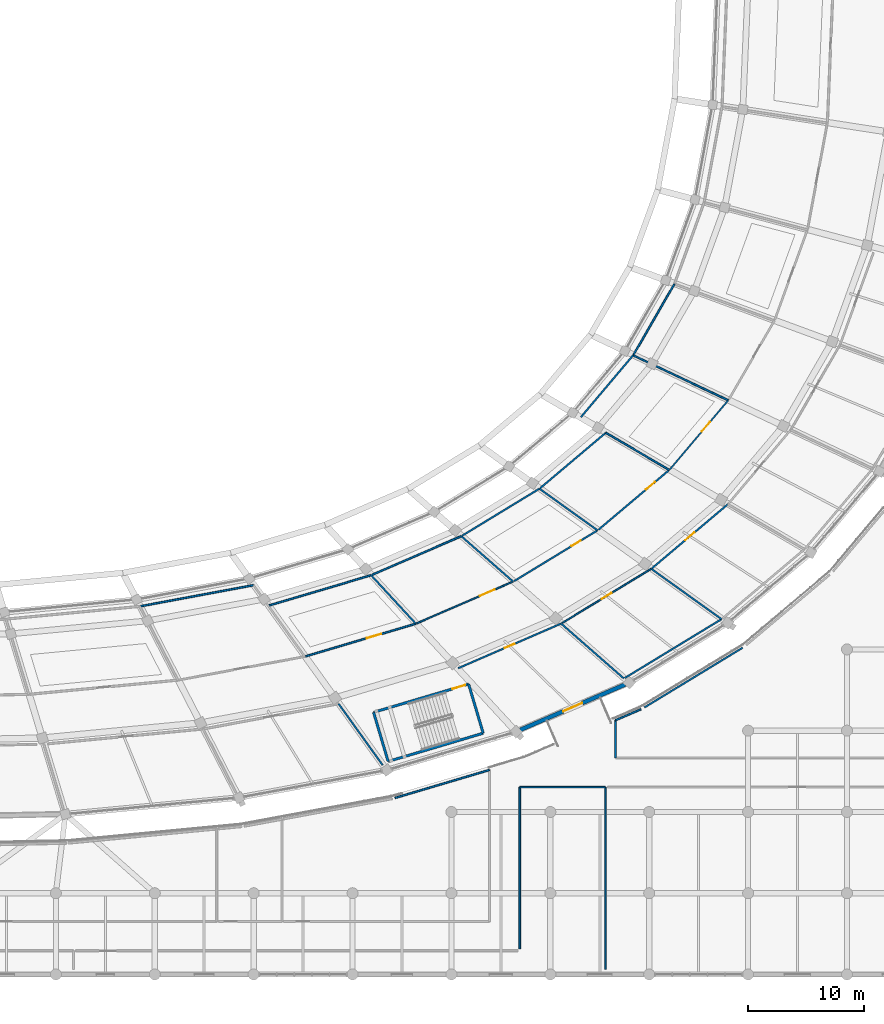
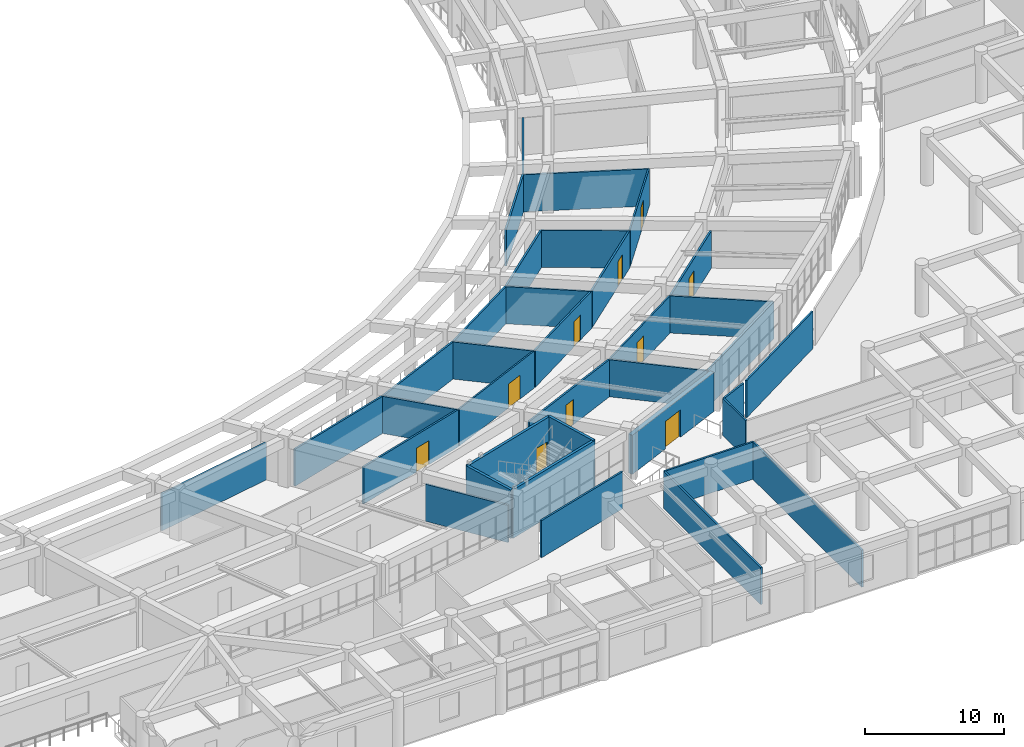
# One storey, part 101 of 145: 36 walls, 10 doors, 10 openings.
"""IFC4 building model written with IfcOpenShell, lengths in metres."""

from ifc_helpers import new_model, si_unit, direction, frame, frame_2d, origin, place, context, subcontext, project, spatial, rectangle, extrude, material, layer, layer_set, type_object, element, fill, save


model = new_model("IFC4")

# Units and contexts
model_context = context("Model", 3, precision=1e-05, world=origin(), true_north=direction((0.0, 1.0)))
body_context = subcontext(model_context, "Body", "Model", "MODEL_VIEW")
ifc_project = project(units=[si_unit("LENGTHUNIT", "METRE"), si_unit("AREAUNIT", "SQUARE_METRE"), si_unit("VOLUMEUNIT", "CUBIC_METRE"), si_unit("PLANEANGLEUNIT", "RADIAN"), si_unit("MASSUNIT", "GRAM", prefix="KILO")], contexts=[model_context])

# Site, building, storey
site_placement = place(None, origin())
site = spatial("IfcSite", under=ifc_project, at=site_placement, CompositionType="ELEMENT")
building_placement = place(site_placement, origin())
building = spatial("IfcBuilding", under=site, at=building_placement, Name="Mphavela Belvedere Stadium", CompositionType="ELEMENT")
storey_placement = place(building_placement, frame((0.0, 0.0, 10.199951171875)))
storey = spatial("IfcBuildingStorey", under=building, at=storey_placement, Name="L02", CompositionType="ELEMENT", Elevation=10.199951171875)

# Walls
ifc_material_1 = material(Name="Concrete C40/50", Category="concrete")
ifc_layer_1 = layer(ifc_material_1, 0.219970703125)
ifc_layer_set_1 = layer_set([ifc_layer_1], Name="Concrete C40/50")
wall_type_1 = type_object("IfcWallType", Name="WAL-CORE-SHEAR-220", PredefinedType="SHEAR", material=ifc_layer_set_1)
wall_1_placement = place(storey_placement, frame((173.10498046875, 20.784912109375, 0.0), z_axis=(0.0, 0.0, 1.0), x_axis=(-0.958675743706, -0.284500998997, 0.0)))
element("IfcWall", 1, at=wall_1_placement, inside=storey, type_object=wall_type_1, Name="Core P04 shear wall L02 rear", PredefinedType="SHEAR", context=body_context, shape_type="SweptSolid", body=[
    extrude(rectangle(XDim=8.540283203125, YDim=0.219970703125, at=frame_2d((4.27001953125, 0.0))), origin(), (0.0, 0.0, 1.0), 4.25),
])
wall_2_placement = place(storey_placement, frame((171.85009765625, 25.0126953125, 0.0), z_axis=(0.0, 0.0, 1.0), x_axis=(0.284548207311, -0.958661732686, 0.0)))
element("IfcWall", 2, at=wall_2_placement, inside=storey, type_object=wall_type_1, Name="Core P04 shear wall L02 left", PredefinedType="SHEAR", context=body_context, shape_type="SweptSolid", body=[
    extrude(rectangle(XDim=4.41015625, YDim=0.219970703125, at=frame_2d((2.205078125, 0.0))), origin(), (0.0, 0.0, 1.0), 4.25),
])
wall_3_placement = place(storey_placement, frame((163.6630859375, 22.5830078125, 0.0), z_axis=(0.0, 0.0, 1.0), x_axis=(0.284497328872, -0.958676832861, 0.0)))
element("IfcWall", 3, at=wall_3_placement, inside=storey, type_object=wall_type_1, Name="Core P04 shear wall L02 right", PredefinedType="SHEAR", context=body_context, shape_type="SweptSolid", body=[
    extrude(rectangle(XDim=4.409912109375, YDim=0.219970703125, at=frame_2d((2.205078125, 0.0))), origin(), (0.0, 0.0, 1.0), 4.25),
])

# Wall, opening, door
wall_4_placement = place(storey_placement, frame((171.85009765625, 25.0126953125, 0.0), z_axis=(0.0, 0.0, 1.0), x_axis=(-0.95867342973, -0.284508796227, 0.0)))
wall_4 = element("IfcWall", 4, at=wall_4_placement, inside=storey, type_object=wall_type_1, Name="Core P04 shear wall L02 front", PredefinedType="SHEAR", context=body_context, shape_type="SweptSolid", body=[
    extrude(rectangle(XDim=8.5400390625, YDim=0.219970703125, at=frame_2d((4.27001953125, 0.0))), origin(), (0.0, 0.0, 1.0), 4.25),
])
opening_1_placement = place(wall_4_placement, frame((0.300048828125, 0.0, 0.0)))
opening_1 = element("IfcOpeningElement", 5, at=opening_1_placement, cuts=wall_4, Name="Opening SD-084", PredefinedType="OPENING", context=body_context, shape_type="SweptSolid", body=[
    extrude(rectangle(XDim=1.14990234375, YDim=2.14990234375, at=frame_2d((0.574951171875, 1.074951171875))), frame((0.0, 0.1201171875, 0.0), z_axis=(0.0, -1.0, 0.0), x_axis=(1.0, 0.0, 0.0)), (0.0, 0.0, 1.0), 0.239990234375),
])
ifc_material_2 = material(Name="Steel acoustic fire-resisting stair doorset", Category="steel")
door_type_1 = type_object("IfcDoorType", Name="DR-STAIR-FIRE-1150", OperationType="NOTDEFINED", PredefinedType="DOOR", material=ifc_material_2)
door_1_placement = place(opening_1_placement, origin())
door_1 = element("IfcDoor", 6, at=door_1_placement, inside=storey, type_object=door_type_1, Name="Escape stair fire door P04 L02", OperationType="SINGLE_SWING_RIGHT", OverallHeight=2.14990234375, OverallWidth=1.14990234375, PredefinedType="DOOR", context=body_context, shape_type="SweptSolid", body=[
    extrude(rectangle(XDim=1.14990234375, YDim=2.14990234375, at=frame_2d((0.574951171875, 1.074951171875))), frame((0.0, 0.02490234375, 0.0), z_axis=(0.0, -1.0, 0.0), x_axis=(1.0, 0.0, 0.0)), (0.0, 0.0, 1.0), 0.050048828125),
])
fill(opening_1, door_1)

ifc_material_3 = material(Name="Honed ashlar limestone masonry", Category="masonry")
ifc_layer_2 = layer(ifc_material_3, 0.35009765625)
ifc_layer_set_2 = layer_set([ifc_layer_2], Name="Honed ashlar limestone masonry")
wall_type_2 = type_object("IfcWallType", Name="WAL-EXT-ASHLAR-350", PredefinedType="STANDARD", material=ifc_layer_set_2)
wall_5_placement = place(storey_placement, frame((185.3310546875, 24.980712890625, 0.0), z_axis=(0.0, 0.0, 1.0), x_axis=(-0.917498288986, -0.397739726088, 0.0)))
wall_5 = element("IfcWall", 7, at=wall_5_placement, inside=storey, type_object=wall_type_2, Name="Classical link portal wall L02-41", PredefinedType="STANDARD", context=body_context, shape_type="SweptSolid", body=[
    extrude(rectangle(XDim=9.840087890625, YDim=0.35009765625, at=frame_2d((4.919921875, 0.0))), origin(), (0.0, 0.0, 1.0), 3.420166015625),
])
opening_2_placement = place(wall_5_placement, frame((4.02001953125, 0.0, 0.0)))
opening_2 = element("IfcOpeningElement", 8, at=opening_2_placement, cuts=wall_5, Name="Opening ID-9240", PredefinedType="OPENING", context=body_context, shape_type="SweptSolid", body=[
    extrude(rectangle(XDim=1.800048828125, YDim=2.39990234375, at=frame_2d((0.89990234375, 1.199951171875))), frame((0.0, 0.18505859375, 0.0), z_axis=(0.0, -1.0, 0.0), x_axis=(1.0, 0.0, 0.0)), (0.0, 0.0, 1.0), 0.3701171875),
])
ifc_material_4 = material(Name="Glazed bronze-anodised steel exit doorset", Category="steel")
door_type_2 = type_object("IfcDoorType", Name="DR-EXT-01", OperationType="NOTDEFINED", PredefinedType="DOOR", material=ifc_material_4)
door_2_placement = place(opening_2_placement, origin())
door_2 = element("IfcDoor", 9, at=door_2_placement, inside=storey, type_object=door_type_2, Name="Wing promenade link doorset L02-41", OperationType="DOUBLE_DOOR_SINGLE_SWING", OverallHeight=2.39990234375, OverallWidth=1.800048828125, PredefinedType="DOOR", context=body_context, shape_type="SweptSolid", body=[
    extrude(rectangle(XDim=1.800048828125, YDim=2.39990234375, at=frame_2d((0.89990234375, 1.199951171875))), frame((0.0, 0.02490234375, 0.0), z_axis=(0.0, -1.0, 0.0), x_axis=(1.0, 0.0, 0.0)), (0.0, 0.0, 1.0), 0.050048828125),
])
fill(opening_2, door_2)

ifc_material_5 = material(Name="Moisture-resistant sanitary partition assembly")
ifc_layer_3 = layer(ifc_material_5, 0.125)
ifc_layer_set_3 = layer_set([ifc_layer_3], Name="Moisture-resistant sanitary partition assembly")
wall_type_3 = type_object("IfcWallType", Name="WAL-PART-125", PredefinedType="PARTITIONING", material=ifc_layer_set_3)
wall_6_placement = place(storey_placement, frame((175.684814453125, 33.84619140625, 0.0), z_axis=(0.0, 0.0, 1.0), x_axis=(-0.917494590455, -0.397748257677, 0.0)))
wall_6 = element("IfcWall", 10, at=wall_6_placement, inside=storey, type_object=wall_type_3, Name="Room L02-139 corridor partition", PredefinedType="PARTITIONING", context=body_context, shape_type="SweptSolid", body=[
    extrude(rectangle(XDim=9.04931640625, YDim=0.125, at=frame_2d((4.524658203125, 0.0))), origin(), (0.0, 0.0, 1.0), 3.25),
])
opening_3_placement = place(wall_6_placement, frame((1.721923828125, 0.0, 0.0)))
opening_3 = element("IfcOpeningElement", 11, at=opening_3_placement, cuts=wall_6, Name="Opening ID-228", PredefinedType="OPENING", context=body_context, shape_type="SweptSolid", body=[
    extrude(rectangle(XDim=1.39990234375, YDim=2.10009765625, at=frame_2d((0.699951171875, 1.050048828125))), frame((0.0, 0.072509765625, 0.0), z_axis=(0.0, -1.0, 0.0), x_axis=(1.0, 0.0, 0.0)), (0.0, 0.0, 1.0), 0.14501953125),
])
ifc_material_6 = material(Name="Hardwood acoustic timber doorset", Category="wood")
door_type_3 = type_object("IfcDoorType", Name="DR-INT-12", OperationType="NOTDEFINED", PredefinedType="DOOR", material=ifc_material_6)
door_3_placement = place(opening_3_placement, origin())
door_3 = element("IfcDoor", 12, at=door_3_placement, inside=storey, type_object=door_type_3, Name="Room L02-139 entrance door ID-228", OperationType="SINGLE_SWING_RIGHT", OverallHeight=2.10009765625, OverallWidth=1.39990234375, PredefinedType="DOOR", context=body_context, shape_type="SweptSolid", body=[
    extrude(rectangle(XDim=1.39990234375, YDim=2.10009765625, at=frame_2d((0.699951171875, 1.050048828125))), frame((0.0, 0.02490234375, 0.0), z_axis=(0.0, -1.0, 0.0), x_axis=(1.0, 0.0, 0.0)), (0.0, 0.0, 1.0), 0.050048828125),
])
fill(opening_3, door_3)

wall_7_placement = place(storey_placement, frame((179.89453125, 30.268798828125, 0.0), z_axis=(0.0, 0.0, 1.0), x_axis=(0.854321649351, 0.519744667554, 0.0)))
wall_7 = element("IfcWall", 13, at=wall_7_placement, inside=storey, type_object=wall_type_3, Name="Room L02-143 corridor partition", PredefinedType="PARTITIONING", context=body_context, shape_type="SweptSolid", body=[
    extrude(rectangle(XDim=8.99853515625, YDim=0.125, at=frame_2d((4.499267578125, 0.0))), origin(), (0.0, 0.0, 1.0), 3.25),
])
opening_4_placement = place(wall_7_placement, frame((4.00927734375, 0.0, 0.0)))
opening_4 = element("IfcOpeningElement", 14, at=opening_4_placement, cuts=wall_7, Name="Opening ID-231", PredefinedType="OPENING", context=body_context, shape_type="SweptSolid", body=[
    extrude(rectangle(XDim=0.97998046875, YDim=2.199951171875, at=frame_2d((0.489990234375, 1.10009765625))), frame((0.0, 0.072509765625, 0.0), z_axis=(0.0, -1.0, 0.0), x_axis=(1.0, 0.0, 0.0)), (0.0, 0.0, 1.0), 0.14501953125),
])
ifc_material_7 = material(Name="Hardwood acoustic timber doorset", Category="wood")
door_type_4 = type_object("IfcDoorType", Name="DR-INT-15", OperationType="NOTDEFINED", PredefinedType="DOOR", material=ifc_material_7)
door_4_placement = place(opening_4_placement, origin())
door_4 = element("IfcDoor", 15, at=door_4_placement, inside=storey, type_object=door_type_4, Name="Room L02-143 entrance door ID-231", OperationType="SINGLE_SWING_LEFT", OverallHeight=2.199951171875, OverallWidth=0.97998046875, PredefinedType="DOOR", context=body_context, shape_type="SweptSolid", body=[
    extrude(rectangle(XDim=0.97998046875, YDim=2.199951171875, at=frame_2d((0.489990234375, 1.10009765625))), frame((0.0, 0.02490234375, 0.0), z_axis=(0.0, -1.0, 0.0), x_axis=(1.0, 0.0, 0.0)), (0.0, 0.0, 1.0), 0.050048828125),
])
fill(opening_4, door_4)

wall_8_placement = place(storey_placement, frame((194.212158203125, 49.4619140625, 0.0), z_axis=(0.0, 0.0, 1.0), x_axis=(-0.645180817826, -0.764029915847, 0.0)))
wall_8 = element("IfcWall", 16, at=wall_8_placement, inside=storey, type_object=wall_type_3, Name="Room L02-148 corridor partition", PredefinedType="PARTITIONING", context=body_context, shape_type="SweptSolid", body=[
    extrude(rectangle(XDim=7.779296875, YDim=0.125, at=frame_2d((3.8896484375, 0.0))), origin(), (0.0, 0.0, 1.0), 3.25),
])
opening_5_placement = place(wall_8_placement, frame((2.433837890625, 0.0, 0.0)))
opening_5 = element("IfcOpeningElement", 17, at=opening_5_placement, cuts=wall_8, Name="Opening ID-234", PredefinedType="OPENING", context=body_context, shape_type="SweptSolid", body=[
    extrude(rectangle(XDim=1.10009765625, YDim=2.199951171875, at=frame_2d((0.550048828125, 1.10009765625))), frame((0.0, 0.072509765625, 0.0), z_axis=(0.0, -1.0, 0.0), x_axis=(1.0, 0.0, 0.0)), (0.0, 0.0, 1.0), 0.14501953125),
])
ifc_material_8 = material(Name="Hardwood acoustic timber doorset", Category="wood")
door_type_5 = type_object("IfcDoorType", Name="DR-INT-18", OperationType="NOTDEFINED", PredefinedType="DOOR", material=ifc_material_8)
door_5_placement = place(opening_5_placement, origin())
door_5 = element("IfcDoor", 18, at=door_5_placement, inside=storey, type_object=door_type_5, Name="Room L02-148 entrance door ID-234", OperationType="SINGLE_SWING_RIGHT", OverallHeight=2.199951171875, OverallWidth=1.10009765625, PredefinedType="DOOR", context=body_context, shape_type="SweptSolid", body=[
    extrude(rectangle(XDim=1.10009765625, YDim=2.199951171875, at=frame_2d((0.550048828125, 1.10009765625))), frame((0.0, 0.02490234375, 0.0), z_axis=(0.0, -1.0, 0.0), x_axis=(1.0, 0.0, 0.0)), (0.0, 0.0, 1.0), 0.050048828125),
])
fill(opening_5, door_5)

ifc_material_9 = material(Name="Acoustic gypsum stud partition assembly")
ifc_layer_4 = layer(ifc_material_9, 0.14990234375)
ifc_layer_set_4 = layer_set([ifc_layer_4], Name="Acoustic gypsum stud partition assembly")
wall_type_4 = type_object("IfcWallType", Name="WAL-PART-150", PredefinedType="PARTITIONING", material=ifc_layer_set_4)
wall_9_placement = place(storey_placement, frame((167.298828125, 30.218994140625, 0.0), z_axis=(0.0, 0.0, 1.0), x_axis=(-0.958655809656, -0.284568161629, 0.0)))
wall_9 = element("IfcWall", 19, at=wall_9_placement, inside=storey, type_object=wall_type_4, Name="Room L02-137 corridor partition", PredefinedType="PARTITIONING", context=body_context, shape_type="SweptSolid", body=[
    extrude(rectangle(XDim=9.89111328125, YDim=0.14990234375, at=frame_2d((4.945556640625, 0.0))), origin(), (0.0, 0.0, 1.0), 3.25),
])
opening_6_placement = place(wall_9_placement, frame((3.095947265625, 0.0, 0.0)))
opening_6 = element("IfcOpeningElement", 20, at=opening_6_placement, cuts=wall_9, Name="Opening ID-227", PredefinedType="OPENING", context=body_context, shape_type="SweptSolid", body=[
    extrude(rectangle(XDim=1.320068359375, YDim=2.10009765625, at=frame_2d((0.66015625, 1.050048828125))), frame((0.0, 0.0849609375, 0.0), z_axis=(0.0, -1.0, 0.0), x_axis=(1.0, 0.0, 0.0)), (0.0, 0.0, 1.0), 0.169921875),
])
ifc_material_10 = material(Name="Hardwood acoustic timber doorset", Category="wood")
door_type_6 = type_object("IfcDoorType", Name="DR-INT-11", OperationType="NOTDEFINED", PredefinedType="DOOR", material=ifc_material_10)
door_6_placement = place(opening_6_placement, origin())
door_6 = element("IfcDoor", 21, at=door_6_placement, inside=storey, type_object=door_type_6, Name="Room L02-137 entrance door ID-227", OperationType="SINGLE_SWING_LEFT", OverallHeight=2.10009765625, OverallWidth=1.320068359375, PredefinedType="DOOR", context=body_context, shape_type="SweptSolid", body=[
    extrude(rectangle(XDim=1.320068359375, YDim=2.10009765625, at=frame_2d((0.66015625, 1.050048828125))), frame((0.0, 0.02490234375, 0.0), z_axis=(0.0, -1.0, 0.0), x_axis=(1.0, 0.0, 0.0)), (0.0, 0.0, 1.0), 0.050048828125),
])
fill(opening_6, door_6)

wall_10_placement = place(storey_placement, frame((170.9462890625, 26.38134765625, 0.0), z_axis=(0.0, 0.0, 1.0), x_axis=(0.917508957037, 0.39771511633, 0.0)))
wall_10 = element("IfcWall", 22, at=wall_10_placement, inside=storey, type_object=wall_type_4, Name="Room L02-140 corridor partition", PredefinedType="PARTITIONING", context=body_context, shape_type="SweptSolid", body=[
    extrude(rectangle(XDim=9.67138671875, YDim=0.14990234375, at=frame_2d((4.835693359375, 0.0))), origin(), (0.0, 0.0, 1.0), 3.25),
])
opening_7_placement = place(wall_10_placement, frame((4.3857421875, 0.0, 0.0)))
opening_7 = element("IfcOpeningElement", 23, at=opening_7_placement, cuts=wall_10, Name="Opening ID-229", PredefinedType="OPENING", context=body_context, shape_type="SweptSolid", body=[
    extrude(rectangle(XDim=0.89990234375, YDim=2.199951171875, at=frame_2d((0.449951171875, 1.10009765625))), frame((0.0, 0.0849609375, 0.0), z_axis=(0.0, -1.0, 0.0), x_axis=(1.0, 0.0, 0.0)), (0.0, 0.0, 1.0), 0.169921875),
])
ifc_material_11 = material(Name="Hardwood acoustic timber doorset", Category="wood")
door_type_7 = type_object("IfcDoorType", Name="DR-INT-13", OperationType="NOTDEFINED", PredefinedType="DOOR", material=ifc_material_11)
door_7_placement = place(opening_7_placement, origin())
door_7 = element("IfcDoor", 24, at=door_7_placement, inside=storey, type_object=door_type_7, Name="Room L02-140 entrance door ID-229", OperationType="SINGLE_SWING_LEFT", OverallHeight=2.199951171875, OverallWidth=0.89990234375, PredefinedType="DOOR", context=body_context, shape_type="SweptSolid", body=[
    extrude(rectangle(XDim=0.89990234375, YDim=2.199951171875, at=frame_2d((0.449951171875, 1.10009765625))), frame((0.0, 0.02490234375, 0.0), z_axis=(0.0, -1.0, 0.0), x_axis=(1.0, 0.0, 0.0)), (0.0, 0.0, 1.0), 0.050048828125),
])
fill(opening_7, door_7)

wall_11_placement = place(storey_placement, frame((182.95654296875, 38.26025390625, 0.0), z_axis=(0.0, 0.0, 1.0), x_axis=(-0.854330104408, -0.519730769439, 0.0)))
wall_11 = element("IfcWall", 25, at=wall_11_placement, inside=storey, type_object=wall_type_4, Name="Room L02-142 corridor partition", PredefinedType="PARTITIONING", context=body_context, shape_type="SweptSolid", body=[
    extrude(rectangle(XDim=8.420166015625, YDim=0.14990234375, at=frame_2d((4.2099609375, 0.0))), origin(), (0.0, 0.0, 1.0), 3.25),
])
opening_8_placement = place(wall_11_placement, frame((1.68798828125, 0.0, 0.0)))
opening_8 = element("IfcOpeningElement", 26, at=opening_8_placement, cuts=wall_11, Name="Opening ID-230", PredefinedType="OPENING", context=body_context, shape_type="SweptSolid", body=[
    extrude(rectangle(XDim=0.93994140625, YDim=2.199951171875, at=frame_2d((0.469970703125, 1.10009765625))), frame((0.0, 0.0849609375, 0.0), z_axis=(0.0, -1.0, 0.0), x_axis=(1.0, 0.0, 0.0)), (0.0, 0.0, 1.0), 0.169921875),
])
ifc_material_12 = material(Name="Hardwood acoustic timber doorset", Category="wood")
door_type_8 = type_object("IfcDoorType", Name="DR-INT-14", OperationType="NOTDEFINED", PredefinedType="DOOR", material=ifc_material_12)
door_8_placement = place(opening_8_placement, origin())
door_8 = element("IfcDoor", 27, at=door_8_placement, inside=storey, type_object=door_type_8, Name="Room L02-142 entrance door ID-230", OperationType="SINGLE_SWING_RIGHT", OverallHeight=2.199951171875, OverallWidth=0.93994140625, PredefinedType="DOOR", context=body_context, shape_type="SweptSolid", body=[
    extrude(rectangle(XDim=0.93994140625, YDim=2.199951171875, at=frame_2d((0.469970703125, 1.10009765625))), frame((0.0, 0.02490234375, 0.0), z_axis=(0.0, -1.0, 0.0), x_axis=(1.0, 0.0, 0.0)), (0.0, 0.0, 1.0), 0.050048828125),
])
fill(opening_8, door_8)

wall_12_placement = place(storey_placement, frame((189.133056640625, 43.460693359375, 0.0), z_axis=(0.0, 0.0, 1.0), x_axis=(-0.764249122867, -0.644921141068, 0.0)))
wall_12 = element("IfcWall", 28, at=wall_12_placement, inside=storey, type_object=wall_type_4, Name="Room L02-145 corridor partition", PredefinedType="PARTITIONING", context=body_context, shape_type="SweptSolid", body=[
    extrude(rectangle(XDim=7.989501953125, YDim=0.14990234375, at=frame_2d((3.99462890625, 0.0))), origin(), (0.0, 0.0, 1.0), 3.25),
])
opening_9_placement = place(wall_12_placement, frame((1.5859375, 0.0, 0.0)))
opening_9 = element("IfcOpeningElement", 29, at=opening_9_placement, cuts=wall_12, Name="Opening ID-232", PredefinedType="OPENING", context=body_context, shape_type="SweptSolid", body=[
    extrude(rectangle(XDim=1.02001953125, YDim=2.199951171875, at=frame_2d((0.510009765625, 1.10009765625))), frame((0.0, 0.0849609375, 0.0), z_axis=(0.0, -1.0, 0.0), x_axis=(1.0, 0.0, 0.0)), (0.0, 0.0, 1.0), 0.169921875),
])
ifc_material_13 = material(Name="Hardwood acoustic timber doorset", Category="wood")
door_type_9 = type_object("IfcDoorType", Name="DR-INT-16", OperationType="NOTDEFINED", PredefinedType="DOOR", material=ifc_material_13)
door_9_placement = place(opening_9_placement, origin())
door_9 = element("IfcDoor", 30, at=door_9_placement, inside=storey, type_object=door_type_9, Name="Room L02-145 entrance door ID-232", OperationType="SINGLE_SWING_RIGHT", OverallHeight=2.199951171875, OverallWidth=1.02001953125, PredefinedType="DOOR", context=body_context, shape_type="SweptSolid", body=[
    extrude(rectangle(XDim=1.02001953125, YDim=2.199951171875, at=frame_2d((0.510009765625, 1.10009765625))), frame((0.0, 0.02490234375, 0.0), z_axis=(0.0, -1.0, 0.0), x_axis=(1.0, 0.0, 0.0)), (0.0, 0.0, 1.0), 0.050048828125),
])
fill(opening_9, door_9)

wall_13_placement = place(storey_placement, frame((187.649169921875, 34.996337890625, 0.0), z_axis=(0.0, 0.0, 1.0), x_axis=(0.764257572309, 0.644911128117, 0.0)))
wall_13 = element("IfcWall", 31, at=wall_13_placement, inside=storey, type_object=wall_type_4, Name="Room L02-146 corridor partition", PredefinedType="PARTITIONING", context=body_context, shape_type="SweptSolid", body=[
    extrude(rectangle(XDim=8.53857421875, YDim=0.14990234375, at=frame_2d((4.269287109375, 0.0))), origin(), (0.0, 0.0, 1.0), 3.25),
])
opening_10_placement = place(wall_13_placement, frame((3.7392578125, 0.0, 0.0)))
opening_10 = element("IfcOpeningElement", 32, at=opening_10_placement, cuts=wall_13, Name="Opening ID-233", PredefinedType="OPENING", context=body_context, shape_type="SweptSolid", body=[
    extrude(rectangle(XDim=1.06005859375, YDim=2.199951171875, at=frame_2d((0.530029296875, 1.10009765625))), frame((0.0, 0.0849609375, 0.0), z_axis=(0.0, -1.0, 0.0), x_axis=(1.0, 0.0, 0.0)), (0.0, 0.0, 1.0), 0.169921875),
])
ifc_material_14 = material(Name="Hardwood acoustic timber doorset", Category="wood")
door_type_10 = type_object("IfcDoorType", Name="DR-INT-17", OperationType="NOTDEFINED", PredefinedType="DOOR", material=ifc_material_14)
door_10_placement = place(opening_10_placement, origin())
door_10 = element("IfcDoor", 33, at=door_10_placement, inside=storey, type_object=door_type_10, Name="Room L02-146 entrance door ID-233", OperationType="SINGLE_SWING_LEFT", OverallHeight=2.199951171875, OverallWidth=1.06005859375, PredefinedType="DOOR", context=body_context, shape_type="SweptSolid", body=[
    extrude(rectangle(XDim=1.06005859375, YDim=2.199951171875, at=frame_2d((0.530029296875, 1.10009765625))), frame((0.0, 0.02490234375, 0.0), z_axis=(0.0, -1.0, 0.0), x_axis=(1.0, 0.0, 0.0)), (0.0, 0.0, 1.0), 0.050048828125),
])
fill(opening_10, door_10)

# Walls
wall_14_placement = place(storey_placement, frame((143.599365234375, 31.72314453125, 0.0), z_axis=(0.0, 0.0, 1.0), x_axis=(0.98309647403, 0.183088292225, 0.0)))
element("IfcWall", 34, at=wall_14_placement, inside=storey, type_object=wall_type_4, Name="Room divider partition L02-0403", PredefinedType="PARTITIONING", context=body_context, shape_type="SweptSolid", body=[
    extrude(rectangle(XDim=9.8876953125, YDim=0.14990234375, at=frame_2d((4.94384765625, 0.0))), origin(), (0.0, 0.0, 1.0), 3.25),
])
wall_15_placement = place(storey_placement, frame((160.64892578125, 23.3203125, 0.0), z_axis=(0.0, 0.0, 1.0), x_axis=(0.58306104439, -0.812428346696, 0.0)))
element("IfcWall", 35, at=wall_15_placement, inside=storey, type_object=wall_type_4, Name="Room divider partition L02-0405", PredefinedType="PARTITIONING", context=body_context, shape_type="SweptSolid", body=[
    extrude(rectangle(XDim=6.51953125, YDim=0.14990234375, at=frame_2d((3.259765625, 0.0))), origin(), (0.0, 0.0, 1.0), 3.25),
])
wall_16_placement = place(storey_placement, frame((154.67138671875, 31.78759765625, 0.0), z_axis=(0.0, 0.0, 1.0), x_axis=(0.958661639872, 0.284548520005, 0.0)))
element("IfcWall", 36, at=wall_16_placement, inside=storey, type_object=wall_type_4, Name="Room divider partition L02-0406", PredefinedType="PARTITIONING", context=body_context, shape_type="SweptSolid", body=[
    extrude(rectangle(XDim=9.157470703125, YDim=0.14990234375, at=frame_2d((4.57861328125, 0.0))), origin(), (0.0, 0.0, 1.0), 3.25),
])
wall_17_placement = place(storey_placement, frame((163.4501953125, 34.393310546875, 0.0), z_axis=(0.0, 0.0, 1.0), x_axis=(0.677844218495, -0.735205559999, 0.0)))
element("IfcWall", 37, at=wall_17_placement, inside=storey, type_object=wall_type_4, Name="Room divider partition L02-0407", PredefinedType="PARTITIONING", context=body_context, shape_type="SweptSolid", body=[
    extrude(rectangle(XDim=5.677734375, YDim=0.14990234375, at=frame_2d((2.8388671875, 0.0))), origin(), (0.0, 0.0, 1.0), 3.25),
])
wall_18_placement = place(storey_placement, frame((163.5302734375, 34.42431640625, 0.0), z_axis=(0.0, 0.0, 1.0), x_axis=(0.917493946853, 0.397749742286, 0.0)))
element("IfcWall", 38, at=wall_18_placement, inside=storey, type_object=wall_type_4, Name="Room divider partition L02-0408", PredefinedType="PARTITIONING", context=body_context, shape_type="SweptSolid", body=[
    extrude(rectangle(XDim=8.377197265625, YDim=0.14990234375, at=frame_2d((4.1884765625, 0.0))), origin(), (0.0, 0.0, 1.0), 3.25),
])
wall_19_placement = place(storey_placement, frame((171.21630859375, 37.75634765625, 0.0), z_axis=(0.0, 0.0, 1.0), x_axis=(0.752558865068, -0.658524984042, 0.0)))
element("IfcWall", 39, at=wall_19_placement, inside=storey, type_object=wall_type_4, Name="Room divider partition L02-0409", PredefinedType="PARTITIONING", context=body_context, shape_type="SweptSolid", body=[
    extrude(rectangle(XDim=5.937744140625, YDim=0.14990234375, at=frame_2d((2.96875, 0.0))), origin(), (0.0, 0.0, 1.0), 3.25),
])
wall_20_placement = place(storey_placement, frame((179.81982421875, 30.227783203125, 0.0), z_axis=(0.0, 0.0, 1.0), x_axis=(0.752576694707, -0.658504607869, 0.0)))
element("IfcWall", 40, at=wall_20_placement, inside=storey, type_object=wall_type_4, Name="Room divider partition L02-0410", PredefinedType="PARTITIONING", context=body_context, shape_type="SweptSolid", body=[
    extrude(rectangle(XDim=7.178466796875, YDim=0.14990234375, at=frame_2d((3.58935546875, 0.0))), origin(), (0.0, 0.0, 1.0), 3.25),
])
wall_21_placement = place(storey_placement, frame((171.291015625, 37.79736328125, 0.0), z_axis=(0.0, 0.0, 1.0), x_axis=(0.854328586702, 0.519733264226, 0.0)))
element("IfcWall", 41, at=wall_21_placement, inside=storey, type_object=wall_type_4, Name="Room divider partition L02-0411", PredefinedType="PARTITIONING", context=body_context, shape_type="SweptSolid", body=[
    extrude(rectangle(XDim=7.79345703125, YDim=0.14990234375, at=frame_2d((3.896728515625, 0.0))), origin(), (0.0, 0.0, 1.0), 3.25),
])
wall_22_placement = place(storey_placement, frame((177.94921875, 41.847900390625, 0.0), z_axis=(0.0, 0.0, 1.0), x_axis=(0.81288905718, -0.582418561446, 0.0)))
element("IfcWall", 42, at=wall_22_placement, inside=storey, type_object=wall_type_4, Name="Room divider partition L02-0412", PredefinedType="PARTITIONING", context=body_context, shape_type="SweptSolid", body=[
    extrude(rectangle(XDim=6.159912109375, YDim=0.14990234375, at=frame_2d((3.080078125, 0.0))), origin(), (0.0, 0.0, 1.0), 3.25),
])
wall_23_placement = place(storey_placement, frame((187.582275390625, 34.94580078125, 0.0), z_axis=(0.0, 0.0, 1.0), x_axis=(0.812888534941, -0.582419290342, 0.0)))
element("IfcWall", 43, at=wall_23_placement, inside=storey, type_object=wall_type_4, Name="Room divider partition L02-0413", PredefinedType="PARTITIONING", context=body_context, shape_type="SweptSolid", body=[
    extrude(rectangle(XDim=7.446044921875, YDim=0.14990234375, at=frame_2d((3.72314453125, 0.0))), origin(), (0.0, 0.0, 1.0), 3.25),
])
wall_24_placement = place(storey_placement, frame((193.635009765625, 30.609130859375, 0.0), z_axis=(0.0, 0.0, 1.0), x_axis=(-0.854323689683, -0.519741313777, 0.0)))
element("IfcWall", 44, at=wall_24_placement, inside=storey, type_object=wall_type_4, Name="Room divider partition L02-0414", PredefinedType="PARTITIONING", context=body_context, shape_type="SweptSolid", body=[
    extrude(rectangle(XDim=9.755859375, YDim=0.14990234375, at=frame_2d((4.8779296875, 0.0))), origin(), (0.0, 0.0, 1.0), 3.25),
])
wall_25_placement = place(storey_placement, frame((178.01611328125, 41.8984375, 0.0), z_axis=(0.0, 0.0, 1.0), x_axis=(0.764244698435, 0.644926384104, 0.0)))
element("IfcWall", 45, at=wall_25_placement, inside=storey, type_object=wall_type_4, Name="Room divider partition L02-0415", PredefinedType="PARTITIONING", context=body_context, shape_type="SweptSolid", body=[
    extrude(rectangle(XDim=7.394775390625, YDim=0.14990234375, at=frame_2d((3.697265625, 0.0))), origin(), (0.0, 0.0, 1.0), 3.25),
])
wall_26_placement = place(storey_placement, frame((183.66748046875, 46.66748046875, 0.0), z_axis=(0.0, 0.0, 1.0), x_axis=(0.862503157438, -0.506051680571, 0.0)))
element("IfcWall", 46, at=wall_26_placement, inside=storey, type_object=wall_type_4, Name="Room divider partition L02-0416", PredefinedType="PARTITIONING", context=body_context, shape_type="SweptSolid", body=[
    extrude(rectangle(XDim=6.3369140625, YDim=0.14990234375, at=frame_2d((3.16845703125, 0.0))), origin(), (0.0, 0.0, 1.0), 3.25),
])
wall_27_placement = place(storey_placement, frame((181.525390625, 48.016845703125, 0.0), z_axis=(0.0, 0.0, 1.0), x_axis=(0.64516899819, 0.764039896716, 0.0)))
element("IfcWall", 47, at=wall_27_placement, inside=storey, type_object=wall_type_4, Name="Room divider partition L02-0419", PredefinedType="PARTITIONING", context=body_context, shape_type="SweptSolid", body=[
    extrude(rectangle(XDim=6.966552734375, YDim=0.14990234375, at=frame_2d((3.4833984375, 0.0))), origin(), (0.0, 0.0, 1.0), 3.25),
])
wall_28_placement = place(storey_placement, frame((186.02001953125, 53.339599609375, 0.0), z_axis=(0.0, 0.0, 1.0), x_axis=(0.903857372861, -0.427833904132, 0.0)))
element("IfcWall", 48, at=wall_28_placement, inside=storey, type_object=wall_type_4, Name="Room divider partition L02-0420", PredefinedType="PARTITIONING", context=body_context, shape_type="SweptSolid", body=[
    extrude(rectangle(XDim=9.0634765625, YDim=0.14990234375, at=frame_2d((4.53173828125, 0.0))), origin(), (0.0, 0.0, 1.0), 3.25),
])
wall_29_placement = place(storey_placement, frame((186.065673828125, 53.406494140625, 0.0), z_axis=(0.0, 0.0, 1.0), x_axis=(0.500549390525, 0.865707980583, 0.0)))
element("IfcWall", 49, at=wall_29_placement, inside=storey, type_object=wall_type_4, Name="Room divider partition L02-0423", PredefinedType="PARTITIONING", context=body_context, shape_type="SweptSolid", body=[
    extrude(rectangle(XDim=7.01806640625, YDim=0.14990234375, at=frame_2d((3.509033203125, 0.0))), origin(), (0.0, 0.0, 1.0), 3.25),
])
wall_30_placement = place(storey_placement, frame((176.260009765625, 2.199951171875, 0.0), z_axis=(0.0, 0.0, 1.0), x_axis=(0.0, 1.0, 0.0)))
element("IfcWall", 50, at=wall_30_placement, inside=storey, type_object=wall_type_4, Name="Room divider partition L02-0761", PredefinedType="PARTITIONING", context=body_context, shape_type="SweptSolid", body=[
    extrude(rectangle(XDim=13.93994140625, YDim=0.14990234375, at=frame_2d((6.969970703125, 0.0))), origin(), (0.0, 0.0, 1.0), 3.25),
])
wall_31_placement = place(storey_placement, frame((176.260009765625, 16.139892578125, 0.0), z_axis=(0.0, 0.0, 1.0), x_axis=(1.0, 0.0, 0.0)))
element("IfcWall", 51, at=wall_31_placement, inside=storey, type_object=wall_type_4, Name="Room divider partition L02-0762", PredefinedType="PARTITIONING", context=body_context, shape_type="SweptSolid", body=[
    extrude(rectangle(XDim=7.369873046875, YDim=0.14990234375, at=frame_2d((3.68505859375, 0.0))), origin(), (0.0, 0.0, 1.0), 3.25),
])
wall_32_placement = place(storey_placement, frame((183.6298828125, 16.139892578125, 0.0), z_axis=(0.0, 0.0, 1.0), x_axis=(0.0, -1.0, 0.0)))
element("IfcWall", 52, at=wall_32_placement, inside=storey, type_object=wall_type_4, Name="Room divider partition L02-0763", PredefinedType="PARTITIONING", context=body_context, shape_type="SweptSolid", body=[
    extrude(rectangle(XDim=15.68994140625, YDim=0.14990234375, at=frame_2d((7.844970703125, 0.0))), origin(), (0.0, 0.0, 1.0), 3.25),
])
wall_33_placement = place(storey_placement, frame((184.510009765625, 18.659912109375, 0.0), z_axis=(0.0, 0.0, 1.0), x_axis=(0.0, 1.0, 0.0)))
element("IfcWall", 53, at=wall_33_placement, inside=storey, type_object=wall_type_4, Name="Room divider partition L02-0766", PredefinedType="PARTITIONING", context=body_context, shape_type="SweptSolid", body=[
    extrude(rectangle(XDim=3.240234375, YDim=0.14990234375, at=frame_2d((1.6201171875, 0.0))), origin(), (0.0, 0.0, 1.0), 3.25),
])
wall_34_placement = place(storey_placement, frame((184.510009765625, 21.900146484375, 0.0), z_axis=(0.0, 0.0, 1.0), x_axis=(0.917484400903, 0.397771761314, 0.0)))
element("IfcWall", 54, at=wall_34_placement, inside=storey, type_object=wall_type_4, Name="Room divider partition L02-0767", PredefinedType="PARTITIONING", context=body_context, shape_type="SweptSolid", body=[
    extrude(rectangle(XDim=2.37646484375, YDim=0.14990234375, at=frame_2d((1.188232421875, 0.0))), origin(), (0.0, 0.0, 1.0), 3.25),
])
wall_35_placement = place(storey_placement, frame((186.99560546875, 23.00341796875, 0.0), z_axis=(0.0, 0.0, 1.0), x_axis=(0.854333268174, 0.519725568826, 0.0)))
element("IfcWall", 55, at=wall_35_placement, inside=storey, type_object=wall_type_4, Name="Room divider partition L02-0768", PredefinedType="PARTITIONING", context=body_context, shape_type="SweptSolid", body=[
    extrude(rectangle(XDim=9.90185546875, YDim=0.14990234375, at=frame_2d((4.950927734375, 0.0))), origin(), (0.0, 0.0, 1.0), 3.25),
])
wall_36_placement = place(storey_placement, frame((165.5126953125, 15.20654296875, 0.0), z_axis=(0.0, 0.0, 1.0), x_axis=(0.95866000112, 0.284554041006, 0.0)))
element("IfcWall", 56, at=wall_36_placement, inside=storey, type_object=wall_type_4, Name="Room divider partition L02-0789", PredefinedType="PARTITIONING", context=body_context, shape_type="SweptSolid", body=[
    extrude(rectangle(XDim=8.477783203125, YDim=0.14990234375, at=frame_2d((4.23876953125, 0.0))), origin(), (0.0, 0.0, 1.0), 3.25),
])

save(model, "model.ifc")
